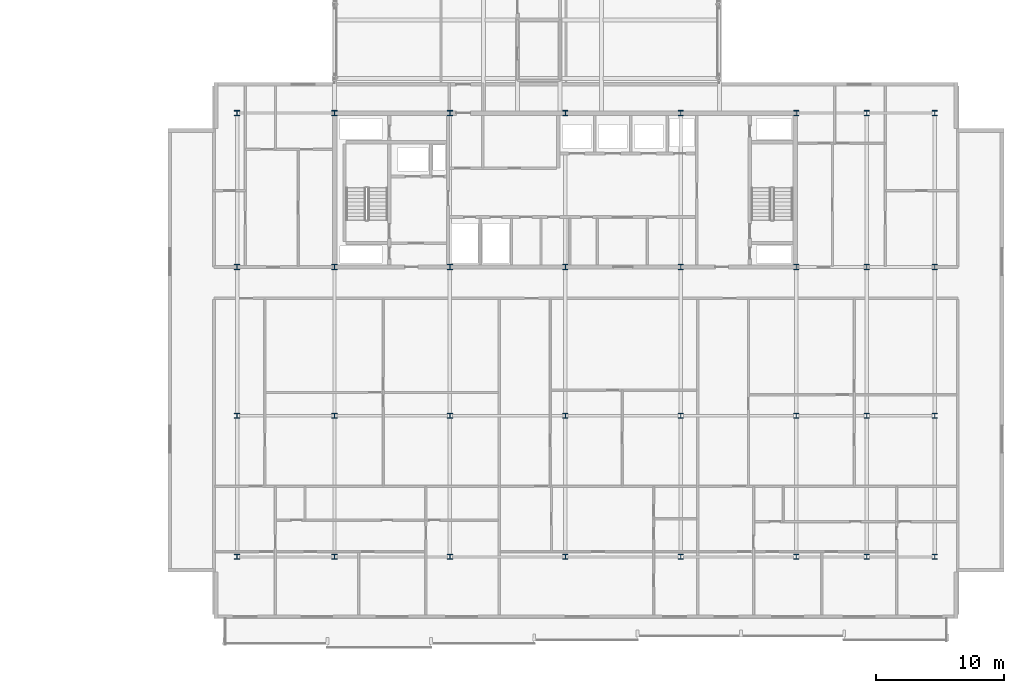
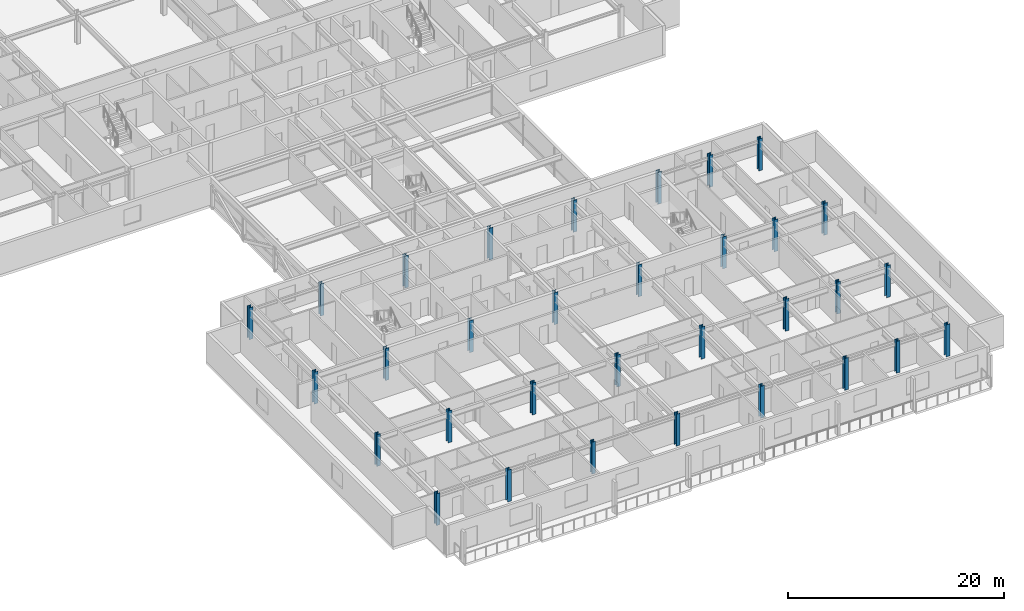
# One storey, part 1 of 36: 32 columns.
"""IFC4 building model written with IfcOpenShell, lengths in metres."""

from ifc_helpers import new_model, si_unit, direction, frame, origin, origin_2d, place, context, subcontext, project, spatial, i_section, extrude, material, material_profile, profile_set, type_object, element, save


model = new_model("IFC4")

# Units and contexts
model_context = context("Model", 3, precision=1e-05, world=origin(), true_north=direction((0.0, 1.0)))
body_context = subcontext(model_context, "Body", "Model", "MODEL_VIEW")
ifc_project = project(units=[si_unit("LENGTHUNIT", "METRE"), si_unit("AREAUNIT", "SQUARE_METRE"), si_unit("VOLUMEUNIT", "CUBIC_METRE"), si_unit("PLANEANGLEUNIT", "RADIAN"), si_unit("MASSUNIT", "GRAM", prefix="KILO")], contexts=[model_context])

# Site, building, storey
site_placement = place(None, origin())
site = spatial("IfcSite", under=ifc_project, at=site_placement, CompositionType="ELEMENT")
building_placement = place(site_placement, origin())
building = spatial("IfcBuilding", under=site, at=building_placement, Name="Korimba Cascade Residences", CompositionType="ELEMENT")
storey_placement = place(building_placement, frame((0.0, 0.0, 146.5)))
storey = spatial("IfcBuildingStorey", under=building, at=storey_placement, Name="L42", CompositionType="ELEMENT", Elevation=146.5)

# Columns
ifc_material = material(Name="Steel S460", Category="steel")
ifc_material_profile = material_profile(ifc_material, i_section(OverallWidth=0.403076171875, OverallDepth=0.406494140625, WebThickness=0.026611328125, FlangeThickness=0.04296875, FilletRadius=0.01513671875, at=origin_2d()), Name="Steel S460")
ifc_profile_set = profile_set([ifc_material_profile], Name="Steel S460")
column_type = type_object("IfcColumnType", Name="COL-STL-UC340", PredefinedType="COLUMN", material=ifc_profile_set)
for number, where, z_axis, x_axis, name in (
    (1, (74.5, -4.199951171875, 0.0), (0.0, 0.0, 1.0), (1.0, 0.0, 0.0), "L42 Tower 2 Column 1.1"),
    (2, (74.5, 6.800048828125, 0.0), (0.0, 0.0, 1.0), (1.0, 0.0, 0.0), "L42 Tower 2 Column 1.2"),
    (3, (74.5, 18.39990234375, 0.0), (0.0, 0.0, 1.0), (1.0, 0.0, 0.0), "L42 Tower 2 Column 1.3"),
    (4, (74.5, 30.39990234375, 0.0), (0.0, 0.0, 1.0), (1.0, 0.0, 0.0), "L42 Tower 2 Column 1.4"),
    (5, (82.10009765625, -4.199951171875, 0.0), (0.0, 0.0, 1.0), (1.0, 0.0, 0.0), "L42 Tower 2 Column 2.1"),
    (6, (82.10009765625, 6.800048828125, 0.0), (0.0, 0.0, 1.0), (1.0, 0.0, 0.0), "L42 Tower 2 Column 2.2"),
    (7, (82.10009765625, 18.39990234375, 0.0), (0.0, 0.0, 1.0), (1.0, 0.0, 0.0), "L42 Tower 2 Column 2.3"),
    (8, (82.10009765625, 30.39990234375, 0.0), (0.0, 0.0, 1.0), (1.0, 0.0, 0.0), "L42 Tower 2 Column 2.4"),
    (9, (91.10009765625, -4.199951171875, 0.0), (0.0, 0.0, 1.0), (1.0, 0.0, 0.0), "L42 Tower 2 Column 3.1"),
    (10, (91.10009765625, 6.800048828125, 0.0), (0.0, 0.0, 1.0), (1.0, 0.0, 0.0), "L42 Tower 2 Column 3.2"),
    (11, (91.10009765625, 18.39990234375, 0.0), (0.0, 0.0, 1.0), (1.0, 0.0, 0.0), "L42 Tower 2 Column 3.3"),
    (12, (91.10009765625, 30.39990234375, 0.0), (0.0, 0.0, 1.0), (1.0, 0.0, 0.0), "L42 Tower 2 Column 3.4"),
    (13, (100.10009765625, -4.199951171875, 0.0), (0.0, 0.0, 1.0), (1.0, 0.0, 0.0), "L42 Tower 2 Column 4.1"),
    (14, (100.10009765625, 6.800048828125, 0.0), (0.0, 0.0, 1.0), (1.0, 0.0, 0.0), "L42 Tower 2 Column 4.2"),
    (15, (100.10009765625, 18.39990234375, 0.0), (0.0, 0.0, 1.0), (1.0, 0.0, 0.0), "L42 Tower 2 Column 4.3"),
    (16, (100.10009765625, 30.39990234375, 0.0), (0.0, 0.0, 1.0), (1.0, 0.0, 0.0), "L42 Tower 2 Column 4.4"),
    (17, (109.10009765625, -4.199951171875, 0.0), (0.0, 0.0, 1.0), (1.0, 0.0, 0.0), "L42 Tower 2 Column 5.1"),
    (18, (109.10009765625, 6.800048828125, 0.0), (0.0, 0.0, 1.0), (1.0, 0.0, 0.0), "L42 Tower 2 Column 5.2"),
    (19, (109.10009765625, 18.39990234375, 0.0), (0.0, 0.0, 1.0), (1.0, 0.0, 0.0), "L42 Tower 2 Column 5.3"),
    (20, (109.10009765625, 30.39990234375, 0.0), (0.0, 0.0, 1.0), (1.0, 0.0, 0.0), "L42 Tower 2 Column 5.4"),
    (21, (118.10009765625, -4.199951171875, 0.0), (0.0, 0.0, 1.0), (1.0, 0.0, 0.0), "L42 Tower 2 Column 6.1"),
    (22, (118.10009765625, 6.800048828125, 0.0), (0.0, 0.0, 1.0), (1.0, 0.0, 0.0), "L42 Tower 2 Column 6.2"),
    (23, (118.10009765625, 18.39990234375, 0.0), (0.0, 0.0, 1.0), (1.0, 0.0, 0.0), "L42 Tower 2 Column 6.3"),
    (24, (118.10009765625, 30.39990234375, 0.0), (0.0, 0.0, 1.0), (1.0, 0.0, 0.0), "L42 Tower 2 Column 6.4"),
    (25, (123.60009765625, -4.199951171875, 0.0), (0.0, 0.0, 1.0), (1.0, 0.0, 0.0), "L42 Tower 2 Column 7.1"),
    (26, (123.60009765625, 6.800048828125, 0.0), (0.0, 0.0, 1.0), (1.0, 0.0, 0.0), "L42 Tower 2 Column 7.2"),
    (27, (123.60009765625, 18.39990234375, 0.0), (0.0, 0.0, 1.0), (1.0, 0.0, 0.0), "L42 Tower 2 Column 7.3"),
    (28, (123.60009765625, 30.39990234375, 0.0), (0.0, 0.0, 1.0), (1.0, 0.0, 0.0), "L42 Tower 2 Column 7.4"),
    (29, (128.89990234375, -4.199951171875, 0.0), (0.0, 0.0, 1.0), (1.0, 0.0, 0.0), "L42 Tower 2 Column 8.1"),
    (30, (128.89990234375, 6.800048828125, 0.0), (0.0, 0.0, 1.0), (1.0, 0.0, 0.0), "L42 Tower 2 Column 8.2"),
    (31, (128.89990234375, 18.39990234375, 0.0), (0.0, 0.0, 1.0), (1.0, 0.0, 0.0), "L42 Tower 2 Column 8.3"),
    (32, (128.89990234375, 30.39990234375, 0.0), (0.0, 0.0, 1.0), (1.0, 0.0, 0.0), "L42 Tower 2 Column 8.4"),
):
    element("IfcColumn", number, at=place(storey_placement, frame(where, z_axis=z_axis, x_axis=x_axis)), inside=storey, type_object=column_type, Name=name, PredefinedType="COLUMN", context=body_context, shape_type="SweptSolid", body=[
        extrude(i_section(OverallWidth=0.403076171875, OverallDepth=0.406494140625, WebThickness=0.026611328125, FlangeThickness=0.04296875, FilletRadius=0.01513671875, at=origin_2d()), origin(), (0.0, 0.0, 1.0), 3.60009765625),
    ])

save(model, "model.ifc")
